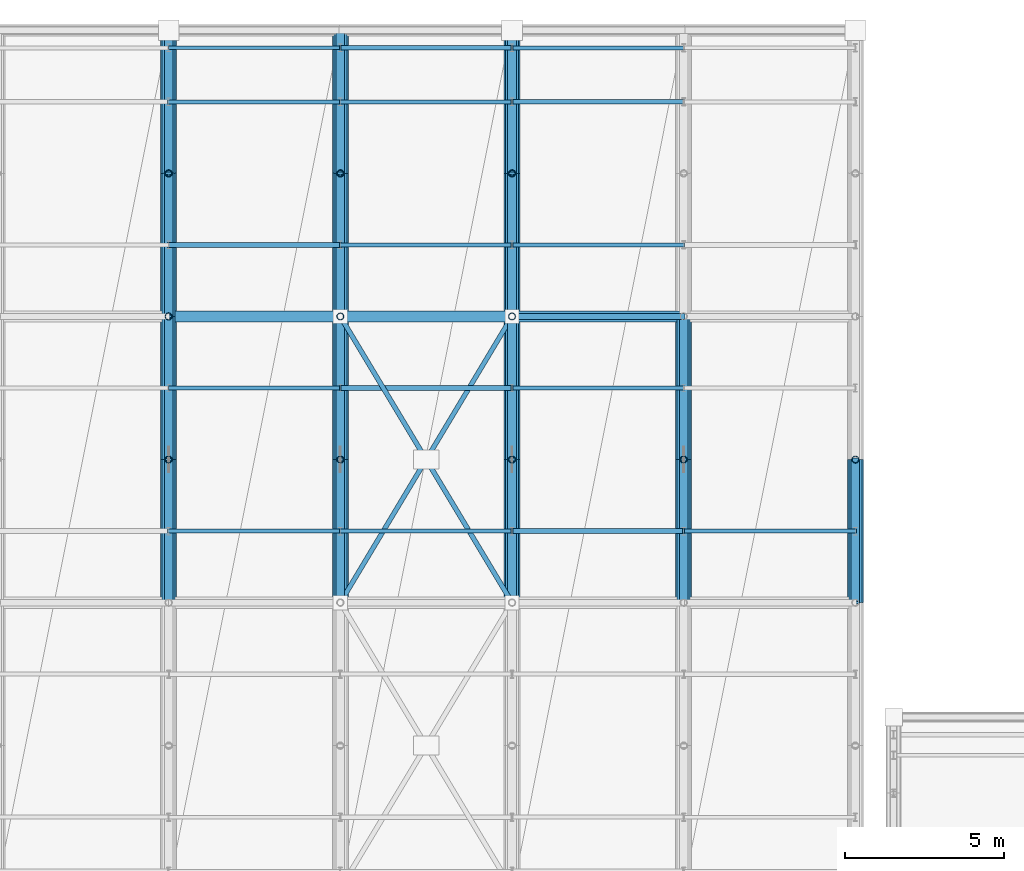
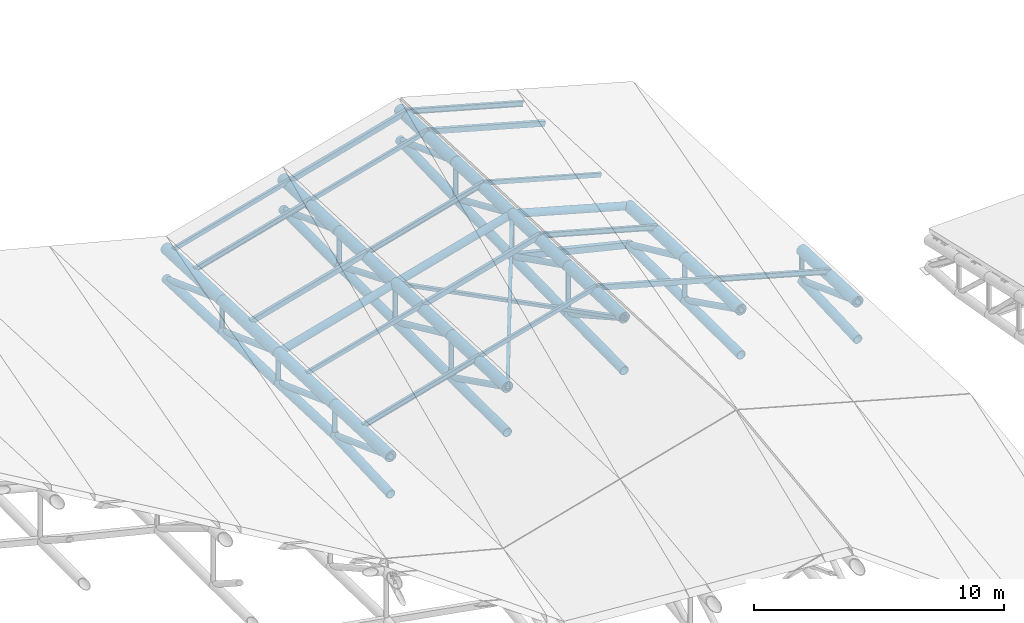
# One storey, part 51 of 109: 49 members, 30 beams.
"""IFC4 building model written with IfcOpenShell, lengths in metres."""

from ifc_helpers import new_model, si_unit, direction, frame, origin, origin_2d, place, context, subcontext, project, spatial, hollow_rectangle, hollow_circle, i_section, extrude, material, material_profile, profile_set, type_object, element, save


model = new_model("IFC4")

# Units and contexts
model_context = context("Model", 3, precision=1e-05, world=origin(), true_north=direction((0.0, 1.0)))
body_context = subcontext(model_context, "Body", "Model", "MODEL_VIEW")
ifc_project = project(units=[si_unit("LENGTHUNIT", "METRE"), si_unit("AREAUNIT", "SQUARE_METRE"), si_unit("VOLUMEUNIT", "CUBIC_METRE"), si_unit("PLANEANGLEUNIT", "RADIAN"), si_unit("MASSUNIT", "GRAM", prefix="KILO")], contexts=[model_context])

# Site, building, storey
site_placement = place(None, origin())
site = spatial("IfcSite", under=ifc_project, at=site_placement, CompositionType="ELEMENT")
building_placement = place(site_placement, origin())
building = spatial("IfcBuilding", under=site, at=building_placement, Name="Suirenkawa Promenade Aquatics Centre", CompositionType="ELEMENT")
storey_placement = place(building_placement, frame((0.0, 0.0, 22.800048828125)))
storey = spatial("IfcBuildingStorey", under=building, at=storey_placement, Name="ROOF", CompositionType="ELEMENT", Elevation=22.800048828125)

# Beams
ifc_material = material(Name="Steel IS 2062 E350 (Grade 350)", Category="steel")
ifc_material_profile_1 = material_profile(ifc_material, hollow_circle(Radius=0.202880859375, WallThickness=0.01806640625, at=origin_2d()), Name="CHS 406x18", Category="steel")
ifc_profile_set_1 = profile_set([ifc_material_profile_1], Name="Steel IS 2062 E350 (Grade 350)")
beam_type_1 = type_object("IfcBeamType", Name="BT-BC-CHS406", PredefinedType="BEAM", material=ifc_profile_set_1)
for number, where, z_axis, x_axis, name in (
    (1, (133.199951171875, 104.39990234375, -11.4111328125), (0.0, 0.999190707649, 0.040223497454), (-1.0, 0.0, 0.0), "ROOF TRUSS V1 bottom chord BC-01 BM-2276"),
    (2, (133.199951171875, 108.89990234375, -11.22998046875), (0.0, 0.999173184279, -0.040656460949), (-1.0, 0.0, 0.0), "ROOF TRUSS V1 bottom chord BC-01 BM-2278"),
    (3, (133.199951171875, 113.39990234375, -11.4130859375), (0.0, 0.999164352475, -0.040872934124), (-1.0, 0.0, 0.0), "ROOF TRUSS V1 bottom chord BC-01 BM-2280"),
    (4, (133.199951171875, 117.89990234375, -11.59716796875), (0.0, 0.999175384927, -0.040602341759), (-1.0, 0.0, 0.0), "ROOF TRUSS V1 bottom chord BC-01 BM-2282"),
):
    element("IfcBeam", number, at=place(storey_placement, frame(where, z_axis=z_axis, x_axis=x_axis)), inside=storey, type_object=beam_type_1, Name=name, PredefinedType="BEAM", context=body_context, shape_type="SweptSolid", body=[
        extrude(hollow_circle(Radius=0.202880859375, WallThickness=0.01806640625, at=origin_2d()), origin(), (0.0, 0.0, 1.0), 4.503662109375),
    ])
for number, where, z_axis, x_axis, name in (
    (5, (138.60009765625, 104.39990234375, -10.281982421875), (0.0, 0.999983150708, -0.005805023716), (-1.0, 0.0, 0.0), "ROOF TRUSS V1 bottom chord BC-01 BM-2304"),
    (6, (138.60009765625, 108.89990234375, -10.30810546875), (0.0, 0.999999788072, -0.000651041529), (-1.0, 0.0, 0.0), "ROOF TRUSS V1 bottom chord BC-01 BM-2306"),
    (7, (138.60009765625, 113.39990234375, -10.31103515625), (0.0, 0.999997019781, 0.002441398974), (-1.0, 0.0, 0.0), "ROOF TRUSS V1 bottom chord BC-01 BM-2308"),
    (8, (138.60009765625, 117.89990234375, -10.300048828125), (0.0, 0.999990104304, 0.004448740698), (-1.0, 0.0, 0.0), "ROOF TRUSS V1 bottom chord BC-01 BM-2310"),
):
    element("IfcBeam", number, at=place(storey_placement, frame(where, z_axis=z_axis, x_axis=x_axis)), inside=storey, type_object=beam_type_1, Name=name, PredefinedType="BEAM", context=body_context, shape_type="SweptSolid", body=[
        extrude(hollow_circle(Radius=0.202880859375, WallThickness=0.01806640625, at=origin_2d()), origin(), (0.0, 0.0, 1.0), 4.5),
    ])
beam_1_placement = place(storey_placement, frame((144.0, 104.39990234375, -9.154052734375), z_axis=(0.0, 0.99992550252, 0.012206121857), x_axis=(-1.0, 0.0, 0.0)))
element("IfcBeam", 9, at=beam_1_placement, inside=storey, type_object=beam_type_1, Name="ROOF TRUSS V1 bottom chord BC-01 BM-2332", PredefinedType="BEAM", context=body_context, shape_type="SweptSolid", body=[
    extrude(hollow_circle(Radius=0.202880859375, WallThickness=0.01806640625, at=origin_2d()), origin(), (0.0, 0.0, 1.0), 4.500244140625),
])
beam_2_placement = place(storey_placement, frame((144.0, 108.89990234375, -9.09912109375), z_axis=(0.0, 0.999812483562, 0.019364857673), x_axis=(-1.0, 0.0, 0.0)))
element("IfcBeam", 10, at=beam_2_placement, inside=storey, type_object=beam_type_1, Name="ROOF TRUSS V1 bottom chord BC-01 BM-2334", PredefinedType="BEAM", context=body_context, shape_type="SweptSolid", body=[
    extrude(hollow_circle(Radius=0.202880859375, WallThickness=0.01806640625, at=origin_2d()), origin(), (0.0, 0.0, 1.0), 4.500732421875),
])
beam_3_placement = place(storey_placement, frame((144.0, 113.39990234375, -9.011962890625), z_axis=(0.0, 0.999702109937, 0.024406789793), x_axis=(-1.0, 0.0, 0.0)))
element("IfcBeam", 11, at=beam_3_placement, inside=storey, type_object=beam_type_1, Name="ROOF TRUSS V1 bottom chord BC-01 BM-2336", PredefinedType="BEAM", context=body_context, shape_type="SweptSolid", body=[
    extrude(hollow_circle(Radius=0.202880859375, WallThickness=0.01806640625, at=origin_2d()), origin(), (0.0, 0.0, 1.0), 4.501220703125),
])
beam_4_placement = place(storey_placement, frame((144.0, 117.89990234375, -8.902099609375), z_axis=(0.0, 0.999632273028, 0.027116760879), x_axis=(-1.0, 0.0, 0.0)))
element("IfcBeam", 12, at=beam_4_placement, inside=storey, type_object=beam_type_1, Name="ROOF TRUSS V1 bottom chord BC-01 BM-2338", PredefinedType="BEAM", context=body_context, shape_type="SweptSolid", body=[
    extrude(hollow_circle(Radius=0.202880859375, WallThickness=0.01806640625, at=origin_2d()), origin(), (0.0, 0.0, 1.0), 4.501708984375),
])
for number, where, z_axis, x_axis, name in (
    (13, (149.39990234375, 104.39990234375, -10.281982421875), (0.0, 0.999983150708, -0.005805023716), (-1.0, 0.0, 0.0), "ROOF TRUSS V1 bottom chord BC-01 BM-2360"),
    (14, (149.39990234375, 108.89990234375, -10.30810546875), (0.0, 0.999999788072, -0.000651041529), (-1.0, 0.0, 0.0), "ROOF TRUSS V1 bottom chord BC-01 BM-2362"),
):
    element("IfcBeam", number, at=place(storey_placement, frame(where, z_axis=z_axis, x_axis=x_axis)), inside=storey, type_object=beam_type_1, Name=name, PredefinedType="BEAM", context=body_context, shape_type="SweptSolid", body=[
        extrude(hollow_circle(Radius=0.202880859375, WallThickness=0.01806640625, at=origin_2d()), origin(), (0.0, 0.0, 1.0), 4.5),
    ])
beam_5_placement = place(storey_placement, frame((154.800048828125, 104.39990234375, -11.4111328125), z_axis=(0.0, 0.999190707649, 0.040223497454), x_axis=(-1.0, 0.0, 0.0)))
element("IfcBeam", 15, at=beam_5_placement, inside=storey, type_object=beam_type_1, Name="ROOF TRUSS V1 bottom chord BC-01 BM-2388", PredefinedType="BEAM", context=body_context, shape_type="SweptSolid", body=[
    extrude(hollow_circle(Radius=0.202880859375, WallThickness=0.01806640625, at=origin_2d()), origin(), (0.0, 0.0, 1.0), 4.503662109375),
])
ifc_material_profile_2 = material_profile(ifc_material, hollow_circle(Radius=0.25390625, WallThickness=0.02392578125, at=origin_2d()), Name="CHS 508x24", Category="steel")
ifc_profile_set_2 = profile_set([ifc_material_profile_2], Name="Steel IS 2062 E350 (Grade 350)")
beam_type_2 = type_object("IfcBeamType", Name="BT-TC-CHS508", PredefinedType="BEAM", material=ifc_profile_set_2)
for number, where, z_axis, x_axis, name in (
    (16, (133.199951171875, 104.39990234375, -9.567138671875), (0.0, 0.999175384927, -0.040602341759), (-1.0, 0.0, 0.0), "ROOF TRUSS V1 top chord TC-02 BM-2275"),
    (17, (133.199951171875, 108.89990234375, -9.75), (0.0, 0.999173184279, -0.040656460949), (-1.0, 0.0, 0.0), "ROOF TRUSS V1 top chord TC-02 BM-2277"),
    (18, (133.199951171875, 113.39990234375, -9.93310546875), (0.0, 0.999166564808, -0.040818816368), (-1.0, 0.0, 0.0), "ROOF TRUSS V1 top chord TC-02 BM-2279"),
    (19, (133.199951171875, 117.89990234375, -10.116943359375), (0.0, 0.999173184279, -0.040656460949), (-1.0, 0.0, 0.0), "ROOF TRUSS V1 top chord TC-02 BM-2281"),
    (20, (138.60009765625, 104.39990234375, -8.067138671875), (0.0, 0.999175384927, -0.040602341759), (-1.0, 0.0, 0.0), "ROOF TRUSS V1 top chord TC-02 BM-2303"),
    (21, (138.60009765625, 108.89990234375, -8.25), (0.0, 0.999173184279, -0.040656460949), (-1.0, 0.0, 0.0), "ROOF TRUSS V1 top chord TC-02 BM-2305"),
    (22, (138.60009765625, 113.39990234375, -8.43310546875), (0.0, 0.999166564808, -0.040818816368), (-1.0, 0.0, 0.0), "ROOF TRUSS V1 top chord TC-02 BM-2307"),
    (23, (138.60009765625, 117.89990234375, -8.616943359375), (0.0, 0.999173184279, -0.040656460949), (-1.0, 0.0, 0.0), "ROOF TRUSS V1 top chord TC-02 BM-2309"),
    (24, (144.0, 104.39990234375, -6.567138671875), (0.0, 0.999175384927, -0.040602341759), (-1.0, 0.0, 0.0), "ROOF TRUSS V1 top chord TC-02 BM-2331"),
    (25, (144.0, 108.89990234375, -6.75), (0.0, 0.999173184279, -0.040656460949), (-1.0, 0.0, 0.0), "ROOF TRUSS V1 top chord TC-02 BM-2333"),
    (26, (144.0, 113.39990234375, -6.93310546875), (0.0, 0.999166564808, -0.040818816368), (-1.0, 0.0, 0.0), "ROOF TRUSS V1 top chord TC-02 BM-2335"),
    (27, (144.0, 117.89990234375, -7.116943359375), (0.0, 0.999173184279, -0.040656460949), (-1.0, 0.0, 0.0), "ROOF TRUSS V1 top chord TC-02 BM-2337"),
    (28, (149.39990234375, 104.39990234375, -8.067138671875), (0.0, 0.999175384927, -0.040602341759), (-1.0, 0.0, 0.0), "ROOF TRUSS V1 top chord TC-02 BM-2359"),
    (29, (149.39990234375, 108.89990234375, -8.25), (0.0, 0.999173184279, -0.040656460949), (-1.0, 0.0, 0.0), "ROOF TRUSS V1 top chord TC-02 BM-2361"),
    (30, (154.800048828125, 104.39990234375, -9.567138671875), (0.0, 0.999175384927, -0.040602341759), (-1.0, 0.0, 0.0), "ROOF TRUSS V1 top chord TC-02 BM-2387"),
):
    element("IfcBeam", number, at=place(storey_placement, frame(where, z_axis=z_axis, x_axis=x_axis)), inside=storey, type_object=beam_type_2, Name=name, PredefinedType="BEAM", context=body_context, shape_type="SweptSolid", body=[
        extrude(hollow_circle(Radius=0.25390625, WallThickness=0.02392578125, at=origin_2d()), origin(), (0.0, 0.0, 1.0), 4.503662109375),
    ])

# Members
ifc_material_profile_3 = material_profile(ifc_material, hollow_rectangle(XDim=0.14990234375, YDim=0.14990234375, WallThickness=0.008056640625, at=origin_2d()), Name="SHS 150x150x8", Category="steel")
ifc_profile_set_3 = profile_set([ifc_material_profile_3], Name="Steel IS 2062 E350 (Grade 350)")
member_type_1 = type_object("IfcMemberType", Name="MT-BRACE-SHS150", PredefinedType="BRACE", material=ifc_profile_set_3)
member_1_placement = place(storey_placement, frame((138.60009765625, 104.39990234375, -8.067138671875), z_axis=(0.511511800204, 0.85253508467, 0.107422565872), x_axis=(-0.857497030584, 0.514488913912, 0.0)))
element("IfcMember", 31, at=member_1_placement, inside=storey, type_object=member_type_1, Name="ROOF TRUSS V1 continuous plan brace BF-02 MB-0968", PredefinedType="BRACE", context=body_context, shape_type="SweptSolid", body=[
    extrude(hollow_rectangle(XDim=0.14990234375, YDim=0.14990234375, WallThickness=0.008056640625, at=origin_2d()), origin(), (0.0, 0.0, 1.0), 10.556640625),
])
for number, where, z_axis, x_axis, name in (
    (32, (144.0, 104.39990234375, -6.567138671875), (-0.506581790783, 0.84424092065, -0.175020447794), (-0.857476239003, -0.514523565588, 0.0), "ROOF TRUSS V1 split plan brace A BF-02 MB-0969"),
    (33, (141.257080078125, 108.971923828125, -7.51513671875), (-0.506581790783, 0.84424092065, -0.175020447794), (-0.857476239003, -0.514523565588, 0.0), "ROOF TRUSS V1 split plan brace B BF-02 MB-0970"),
):
    element("IfcMember", number, at=place(storey_placement, frame(where, z_axis=z_axis, x_axis=x_axis)), inside=storey, type_object=member_type_1, Name=name, PredefinedType="BRACE", context=body_context, shape_type="SweptSolid", body=[
        extrude(hollow_rectangle(XDim=0.14990234375, YDim=0.14990234375, WallThickness=0.008056640625, at=origin_2d()), origin(), (0.0, 0.0, 1.0), 5.244873046875),
    ])
ifc_material_profile_4 = material_profile(ifc_material, hollow_circle(Radius=0.177978515625, WallThickness=0.01611328125, at=origin_2d()), Name="CHS 356x16", Category="steel")
ifc_profile_set_4 = profile_set([ifc_material_profile_4], Name="Steel IS 2062 E350 (Grade 350)")
member_type_2 = type_object("IfcMemberType", Name="MT-CHORD-CHS356", PredefinedType="CHORD", material=ifc_profile_set_4)
member_2_placement = place(storey_placement, frame((133.199951171875, 113.39990234375, -9.93310546875), z_axis=(0.963519781844, 0.0, 0.267637123724), x_axis=(0.0, 1.0, 0.0)))
element("IfcMember", 34, at=member_2_placement, inside=storey, type_object=member_type_2, Name="ROOF TRUSS V1 tie chord CH-02 MB-0920", PredefinedType="CHORD", context=body_context, shape_type="SweptSolid", body=[
    extrude(hollow_circle(Radius=0.177978515625, WallThickness=0.01611328125, at=origin_2d()), origin(), (0.0, 0.0, 1.0), 5.6044921875),
])
for number, where, z_axis, x_axis, name in (
    (35, (138.60009765625, 113.39990234375, -8.43310546875), (0.963516661409, 0.0, 0.267648357342), (0.0, 1.0, 0.0), "ROOF TRUSS V1 tie chord CH-02 MB-0921"),
    (36, (144.0, 113.39990234375, -6.93310546875), (0.963516661409, 0.0, -0.267648357342), (0.0, 1.0, 0.0), "ROOF TRUSS V1 tie chord CH-02 MB-0922"),
):
    element("IfcMember", number, at=place(storey_placement, frame(where, z_axis=z_axis, x_axis=x_axis)), inside=storey, type_object=member_type_2, Name=name, PredefinedType="CHORD", context=body_context, shape_type="SweptSolid", body=[
        extrude(hollow_circle(Radius=0.177978515625, WallThickness=0.01611328125, at=origin_2d()), origin(), (0.0, 0.0, 1.0), 5.604248046875),
    ])
ifc_material_profile_5 = material_profile(ifc_material, hollow_rectangle(XDim=0.199951171875, YDim=0.300048828125, WallThickness=0.011962890625, at=origin_2d()), Name="RHS 300x200x12", Category="steel")
ifc_profile_set_5 = profile_set([ifc_material_profile_5], Name="Steel IS 2062 E350 (Grade 350)")
member_type_3 = type_object("IfcMemberType", Name="MT-CHORD-RHS300", PredefinedType="CHORD", material=ifc_profile_set_5)
member_3_placement = place(storey_placement, frame((144.0, 113.39990234375, -9.011962890625), z_axis=(0.972260672149, 0.0, -0.233899947396), x_axis=(0.0, 1.0, 0.0)))
element("IfcMember", 37, at=member_3_placement, inside=storey, type_object=member_type_3, Name="ROOF TRUSS V1 bottom tie CH-03 MB-0923", PredefinedType="CHORD", context=body_context, shape_type="SweptSolid", body=[
    extrude(hollow_rectangle(XDim=0.199951171875, YDim=0.300048828125, WallThickness=0.011962890625, at=origin_2d()), origin(), (0.0, 0.0, 1.0), 5.553955078125),
])
ifc_material_profile_6 = material_profile(ifc_material, i_section(OverallWidth=0.125, OverallDepth=0.25, WebThickness=0.007080078125, FlangeThickness=0.012939453125, at=origin_2d()), Name="ISMB 250", Category="steel")
ifc_profile_set_6 = profile_set([ifc_material_profile_6], Name="Steel IS 2062 E350 (Grade 350)")
member_type_4 = type_object("IfcMemberType", Name="MT-PURLIN-ISMB250", PredefinedType="PURLIN", material=ifc_profile_set_6)
for number, where, z_axis, x_axis, name in (
    (38, (133.199951171875, 106.64990234375, -9.429931640625), (0.963519781844, 0.0, 0.267637123724), (0.0, 1.0, 0.0), "ROOF TRUSS Roof purlin PU-04 MB-2289"),
    (39, (133.199951171875, 120.14990234375, -9.97998046875), (0.963519781844, 0.0, 0.267637123724), (0.0, 1.0, 0.0), "ROOF TRUSS Roof purlin PU-04 MB-2295"),
):
    element("IfcMember", number, at=place(storey_placement, frame(where, z_axis=z_axis, x_axis=x_axis)), inside=storey, type_object=member_type_4, Name=name, PredefinedType="PURLIN", context=body_context, shape_type="SweptSolid", body=[
        extrude(i_section(OverallWidth=0.125, OverallDepth=0.25, WebThickness=0.007080078125, FlangeThickness=0.012939453125, at=origin_2d()), origin(), (0.0, 0.0, 1.0), 5.6044921875),
    ])
for number, where, z_axis, x_axis, name in (
    (40, (138.60009765625, 115.64990234375, -8.297119140625), (0.963516661409, 0.0, 0.267648357342), (0.0, 1.0, 0.0), "ROOF TRUSS Roof purlin PU-04 MB-2329"),
    (41, (144.0, 111.14990234375, -6.613037109375), (0.963516661409, 0.0, -0.267648357342), (0.0, 1.0, 0.0), "ROOF TRUSS Roof purlin PU-04 MB-2363"),
    (42, (144.0, 121.85009765625, -7.049072265625), (0.963516661409, 0.0, -0.267648357342), (0.0, 1.0, 0.0), "ROOF TRUSS Roof purlin PU-04 MB-2369"),
):
    element("IfcMember", number, at=place(storey_placement, frame(where, z_axis=z_axis, x_axis=x_axis)), inside=storey, type_object=member_type_4, Name=name, PredefinedType="PURLIN", context=body_context, shape_type="SweptSolid", body=[
        extrude(i_section(OverallWidth=0.125, OverallDepth=0.25, WebThickness=0.007080078125, FlangeThickness=0.012939453125, at=origin_2d()), origin(), (0.0, 0.0, 1.0), 5.604248046875),
    ])
member_4_placement = place(storey_placement, frame((149.39990234375, 106.64990234375, -7.929931640625), z_axis=(0.963519781844, 0.0, -0.267637123724), x_axis=(0.0, 1.0, 0.0)))
element("IfcMember", 43, at=member_4_placement, inside=storey, type_object=member_type_4, Name="ROOF TRUSS Roof purlin PU-04 MB-2397", PredefinedType="PURLIN", context=body_context, shape_type="SweptSolid", body=[
    extrude(i_section(OverallWidth=0.125, OverallDepth=0.25, WebThickness=0.007080078125, FlangeThickness=0.012939453125, at=origin_2d()), origin(), (0.0, 0.0, 1.0), 5.6044921875),
])
ifc_material_profile_7 = material_profile(ifc_material, hollow_rectangle(XDim=0.1201171875, YDim=0.199951171875, WallThickness=0.008056640625, at=origin_2d()), Name="RHS 200x120x8", Category="steel")
ifc_profile_set_7 = profile_set([ifc_material_profile_7], Name="Steel IS 2062 E350 (Grade 350)")
member_type_5 = type_object("IfcMemberType", Name="MT-PURLIN-RHS200", PredefinedType="PURLIN", material=ifc_profile_set_7)
for number, where, z_axis, x_axis, name in (
    (44, (133.199951171875, 111.14990234375, -9.588134765625), (0.963519781844, 0.0, 0.267637123724), (0.0, 1.0, 0.0), "ROOF TRUSS Roof purlin PU-02 MB-2291"),
    (45, (133.199951171875, 121.85009765625, -10.024169921875), (0.963519781844, 0.0, 0.267637123724), (0.0, 1.0, 0.0), "ROOF TRUSS Roof purlin PU-02 MB-2297"),
):
    element("IfcMember", number, at=place(storey_placement, frame(where, z_axis=z_axis, x_axis=x_axis)), inside=storey, type_object=member_type_5, Name=name, PredefinedType="PURLIN", context=body_context, shape_type="SweptSolid", body=[
        extrude(hollow_rectangle(XDim=0.1201171875, YDim=0.199951171875, WallThickness=0.008056640625, at=origin_2d()), origin(), (0.0, 0.0, 1.0), 5.6044921875),
    ])
for number, where, z_axis, x_axis, name in (
    (46, (138.60009765625, 106.64990234375, -7.905029296875), (0.963516661409, 0.0, 0.267648357342), (0.0, 1.0, 0.0), "ROOF TRUSS Roof purlin PU-02 MB-2325"),
    (47, (138.60009765625, 120.14990234375, -8.455078125), (0.963516661409, 0.0, 0.267648357342), (0.0, 1.0, 0.0), "ROOF TRUSS Roof purlin PU-02 MB-2331"),
    (48, (144.0, 115.64990234375, -6.77197265625), (0.963516661409, 0.0, -0.267648357342), (0.0, 1.0, 0.0), "ROOF TRUSS Roof purlin PU-02 MB-2365"),
):
    element("IfcMember", number, at=place(storey_placement, frame(where, z_axis=z_axis, x_axis=x_axis)), inside=storey, type_object=member_type_5, Name=name, PredefinedType="PURLIN", context=body_context, shape_type="SweptSolid", body=[
        extrude(hollow_rectangle(XDim=0.1201171875, YDim=0.199951171875, WallThickness=0.008056640625, at=origin_2d()), origin(), (0.0, 0.0, 1.0), 5.604248046875),
    ])
ifc_material_profile_8 = material_profile(ifc_material, hollow_rectangle(XDim=0.14990234375, YDim=0.25, WallThickness=0.010009765625, at=origin_2d()), Name="RHS 250x150x10", Category="steel")
ifc_profile_set_8 = profile_set([ifc_material_profile_8], Name="Steel IS 2062 E350 (Grade 350)")
member_type_6 = type_object("IfcMemberType", Name="MT-PURLIN-RHS250", PredefinedType="PURLIN", material=ifc_profile_set_8)
member_5_placement = place(storey_placement, frame((133.199951171875, 115.64990234375, -9.797119140625), z_axis=(0.963519781844, 0.0, 0.267637123724), x_axis=(0.0, 1.0, 0.0)))
element("IfcMember", 49, at=member_5_placement, inside=storey, type_object=member_type_6, Name="ROOF TRUSS Roof purlin PU-03 MB-2293", PredefinedType="PURLIN", context=body_context, shape_type="SweptSolid", body=[
    extrude(hollow_rectangle(XDim=0.14990234375, YDim=0.25, WallThickness=0.010009765625, at=origin_2d()), origin(), (0.0, 0.0, 1.0), 5.6044921875),
])
for number, where, z_axis, x_axis, name in (
    (50, (138.60009765625, 111.14990234375, -8.114013671875), (0.963516661409, 0.0, 0.267648357342), (0.0, 1.0, 0.0), "ROOF TRUSS Roof purlin PU-03 MB-2327"),
    (51, (138.60009765625, 121.85009765625, -8.550048828125), (0.963516661409, 0.0, 0.267648357342), (0.0, 1.0, 0.0), "ROOF TRUSS Roof purlin PU-03 MB-2333"),
    (52, (144.0, 106.64990234375, -6.43115234375), (0.963516661409, 0.0, -0.267648357342), (0.0, 1.0, 0.0), "ROOF TRUSS Roof purlin PU-03 MB-2361"),
    (53, (144.0, 120.14990234375, -6.98095703125), (0.963516661409, 0.0, -0.267648357342), (0.0, 1.0, 0.0), "ROOF TRUSS Roof purlin PU-03 MB-2367"),
):
    element("IfcMember", number, at=place(storey_placement, frame(where, z_axis=z_axis, x_axis=x_axis)), inside=storey, type_object=member_type_6, Name=name, PredefinedType="PURLIN", context=body_context, shape_type="SweptSolid", body=[
        extrude(hollow_rectangle(XDim=0.14990234375, YDim=0.25, WallThickness=0.010009765625, at=origin_2d()), origin(), (0.0, 0.0, 1.0), 5.604248046875),
    ])
ifc_material_profile_9 = material_profile(ifc_material, hollow_circle(Radius=0.110107421875, WallThickness=0.010009765625, at=origin_2d()), Name="CHS 220x10", Category="steel")
ifc_profile_set_9 = profile_set([ifc_material_profile_9], Name="Steel IS 2062 E350 (Grade 350)")
member_type_7 = type_object("IfcMemberType", Name="MT-WEB-CHS220", PredefinedType="BRACE", material=ifc_profile_set_9)
for number, where, z_axis, x_axis, name in (
    (54, (133.199951171875, 108.89990234375, -11.22998046875), (0.0, 0.0, 1.0), (1.0, 0.0, 0.0), "ROOF TRUSS V1 web post TD-01 MB-0457"),
    (55, (133.199951171875, 113.39990234375, -11.4130859375), (0.0, 0.0, 1.0), (1.0, 0.0, 0.0), "ROOF TRUSS V1 web post TD-01 MB-0458"),
):
    element("IfcMember", number, at=place(storey_placement, frame(where, z_axis=z_axis, x_axis=x_axis)), inside=storey, type_object=member_type_7, Name=name, PredefinedType="BRACE", context=body_context, shape_type="SweptSolid", body=[
        extrude(hollow_circle(Radius=0.110107421875, WallThickness=0.010009765625, at=origin_2d()), origin(), (0.0, 0.0, 1.0), 1.47998046875),
    ])
member_6_placement = place(storey_placement, frame((133.199951171875, 117.89990234375, -11.59716796875), z_axis=(0.0, 0.0, 1.0), x_axis=(1.0, 0.0, 0.0)))
element("IfcMember", 56, at=member_6_placement, inside=storey, type_object=member_type_7, Name="ROOF TRUSS V1 web post TD-01 MB-0459", PredefinedType="BRACE", context=body_context, shape_type="SweptSolid", body=[
    extrude(hollow_circle(Radius=0.110107421875, WallThickness=0.010009765625, at=origin_2d()), origin(), (0.0, 0.0, 1.0), 1.480224609375),
])
member_7_placement = place(storey_placement, frame((138.60009765625, 108.89990234375, -10.30810546875), z_axis=(0.0, 0.0, 1.0), x_axis=(1.0, 0.0, 0.0)))
element("IfcMember", 57, at=member_7_placement, inside=storey, type_object=member_type_7, Name="ROOF TRUSS V1 web post TD-01 MB-0484", PredefinedType="BRACE", context=body_context, shape_type="SweptSolid", body=[
    extrude(hollow_circle(Radius=0.110107421875, WallThickness=0.010009765625, at=origin_2d()), origin(), (0.0, 0.0, 1.0), 2.05810546875),
])
member_8_placement = place(storey_placement, frame((138.60009765625, 113.39990234375, -10.31103515625), z_axis=(0.0, 0.0, 1.0), x_axis=(1.0, 0.0, 0.0)))
element("IfcMember", 58, at=member_8_placement, inside=storey, type_object=member_type_7, Name="ROOF TRUSS V1 web post TD-01 MB-0485", PredefinedType="BRACE", context=body_context, shape_type="SweptSolid", body=[
    extrude(hollow_circle(Radius=0.110107421875, WallThickness=0.010009765625, at=origin_2d()), origin(), (0.0, 0.0, 1.0), 1.8779296875),
])
member_9_placement = place(storey_placement, frame((138.60009765625, 117.89990234375, -10.300048828125), z_axis=(0.0, 0.0, 1.0), x_axis=(1.0, 0.0, 0.0)))
element("IfcMember", 59, at=member_9_placement, inside=storey, type_object=member_type_7, Name="ROOF TRUSS V1 web post TD-01 MB-0486", PredefinedType="BRACE", context=body_context, shape_type="SweptSolid", body=[
    extrude(hollow_circle(Radius=0.110107421875, WallThickness=0.010009765625, at=origin_2d()), origin(), (0.0, 0.0, 1.0), 1.68310546875),
])
member_10_placement = place(storey_placement, frame((144.0, 108.89990234375, -9.09912109375), z_axis=(0.0, 0.0, 1.0), x_axis=(1.0, 0.0, 0.0)))
element("IfcMember", 60, at=member_10_placement, inside=storey, type_object=member_type_7, Name="ROOF TRUSS V1 web post TD-01 MB-0511", PredefinedType="BRACE", context=body_context, shape_type="SweptSolid", body=[
    extrude(hollow_circle(Radius=0.110107421875, WallThickness=0.010009765625, at=origin_2d()), origin(), (0.0, 0.0, 1.0), 2.34912109375),
])
member_11_placement = place(storey_placement, frame((144.0, 113.39990234375, -9.011962890625), z_axis=(0.0, 0.0, 1.0), x_axis=(1.0, 0.0, 0.0)))
element("IfcMember", 61, at=member_11_placement, inside=storey, type_object=member_type_7, Name="ROOF TRUSS V1 web post TD-01 MB-0512", PredefinedType="BRACE", context=body_context, shape_type="SweptSolid", body=[
    extrude(hollow_circle(Radius=0.110107421875, WallThickness=0.010009765625, at=origin_2d()), origin(), (0.0, 0.0, 1.0), 2.078857421875),
])
member_12_placement = place(storey_placement, frame((144.0, 117.89990234375, -8.902099609375), z_axis=(0.0, 0.0, 1.0), x_axis=(1.0, 0.0, 0.0)))
element("IfcMember", 62, at=member_12_placement, inside=storey, type_object=member_type_7, Name="ROOF TRUSS V1 web post TD-01 MB-0513", PredefinedType="BRACE", context=body_context, shape_type="SweptSolid", body=[
    extrude(hollow_circle(Radius=0.110107421875, WallThickness=0.010009765625, at=origin_2d()), origin(), (0.0, 0.0, 1.0), 1.78515625),
])
member_13_placement = place(storey_placement, frame((149.39990234375, 108.89990234375, -10.30810546875), z_axis=(0.0, 0.0, 1.0), x_axis=(1.0, 0.0, 0.0)))
element("IfcMember", 63, at=member_13_placement, inside=storey, type_object=member_type_7, Name="ROOF TRUSS V1 web post TD-01 MB-0538", PredefinedType="BRACE", context=body_context, shape_type="SweptSolid", body=[
    extrude(hollow_circle(Radius=0.110107421875, WallThickness=0.010009765625, at=origin_2d()), origin(), (0.0, 0.0, 1.0), 2.05810546875),
])
member_14_placement = place(storey_placement, frame((154.800048828125, 108.89990234375, -11.22998046875), z_axis=(0.0, 0.0, 1.0), x_axis=(1.0, 0.0, 0.0)))
element("IfcMember", 64, at=member_14_placement, inside=storey, type_object=member_type_7, Name="ROOF TRUSS V1 web post TD-01 MB-0565", PredefinedType="BRACE", context=body_context, shape_type="SweptSolid", body=[
    extrude(hollow_circle(Radius=0.110107421875, WallThickness=0.010009765625, at=origin_2d()), origin(), (0.0, 0.0, 1.0), 1.47998046875),
])
ifc_material_profile_10 = material_profile(ifc_material, hollow_circle(Radius=0.136962890625, WallThickness=0.011962890625, at=origin_2d()), Name="CHS 274x12", Category="steel")
ifc_profile_set_10 = profile_set([ifc_material_profile_10], Name="Steel IS 2062 E350 (Grade 350)")
member_type_8 = type_object("IfcMemberType", Name="MT-WEB-CHS274", PredefinedType="BRACE", material=ifc_profile_set_10)
for number, where, z_axis, x_axis, name in (
    (65, (133.199951171875, 104.39990234375, -9.567138671875), (0.0, 0.938008167567, -0.346613152631), (-1.0, 0.0, 0.0), "ROOF TRUSS V1 web diagonal TD-02 MB-0443"),
    (66, (133.199951171875, 108.89990234375, -9.75), (0.0, 0.937991621065, -0.346657927664), (-1.0, 0.0, 0.0), "ROOF TRUSS V1 web diagonal TD-02 MB-0444"),
):
    element("IfcMember", number, at=place(storey_placement, frame(where, z_axis=z_axis, x_axis=x_axis)), inside=storey, type_object=member_type_8, Name=name, PredefinedType="BRACE", context=body_context, shape_type="SweptSolid", body=[
        extrude(hollow_circle(Radius=0.136962890625, WallThickness=0.011962890625, at=origin_2d()), origin(), (0.0, 0.0, 1.0), 4.79736328125),
    ])
member_15_placement = place(storey_placement, frame((133.199951171875, 113.39990234375, -9.93310546875), z_axis=(0.0, 0.937925419525, -0.346837004095), x_axis=(-1.0, 0.0, 0.0)))
element("IfcMember", 67, at=member_15_placement, inside=storey, type_object=member_type_8, Name="ROOF TRUSS V1 web diagonal TD-02 MB-0445", PredefinedType="BRACE", context=body_context, shape_type="SweptSolid", body=[
    extrude(hollow_circle(Radius=0.136962890625, WallThickness=0.011962890625, at=origin_2d()), origin(), (0.0, 0.0, 1.0), 4.7978515625),
])
member_16_placement = place(storey_placement, frame((133.199951171875, 117.89990234375, -10.116943359375), z_axis=(0.0, 0.937991621065, -0.346657927664), x_axis=(-1.0, 0.0, 0.0)))
element("IfcMember", 68, at=member_16_placement, inside=storey, type_object=member_type_8, Name="ROOF TRUSS V1 web diagonal TD-02 MB-0446", PredefinedType="BRACE", context=body_context, shape_type="SweptSolid", body=[
    extrude(hollow_circle(Radius=0.136962890625, WallThickness=0.011962890625, at=origin_2d()), origin(), (0.0, 0.0, 1.0), 4.79736328125),
])
member_17_placement = place(storey_placement, frame((138.60009765625, 104.39990234375, -8.067138671875), z_axis=(0.0, 0.895144793573, -0.445775502399), x_axis=(-1.0, 0.0, 0.0)))
element("IfcMember", 69, at=member_17_placement, inside=storey, type_object=member_type_8, Name="ROOF TRUSS V1 web diagonal TD-02 MB-0470", PredefinedType="BRACE", context=body_context, shape_type="SweptSolid", body=[
    extrude(hollow_circle(Radius=0.136962890625, WallThickness=0.011962890625, at=origin_2d()), origin(), (0.0, 0.0, 1.0), 5.027099609375),
])
member_18_placement = place(storey_placement, frame((138.60009765625, 108.89990234375, -8.25), z_axis=(0.0, 0.909176888112, -0.4164101177), x_axis=(-1.0, 0.0, 0.0)))
element("IfcMember", 70, at=member_18_placement, inside=storey, type_object=member_type_8, Name="ROOF TRUSS V1 web diagonal TD-02 MB-0471", PredefinedType="BRACE", context=body_context, shape_type="SweptSolid", body=[
    extrude(hollow_circle(Radius=0.136962890625, WallThickness=0.011962890625, at=origin_2d()), origin(), (0.0, 0.0, 1.0), 4.949462890625),
])
member_19_placement = place(storey_placement, frame((138.60009765625, 113.39990234375, -8.43310546875), z_axis=(0.0, 0.923662957717, -0.383205872269), x_axis=(-1.0, 0.0, 0.0)))
element("IfcMember", 71, at=member_19_placement, inside=storey, type_object=member_type_8, Name="ROOF TRUSS V1 web diagonal TD-02 MB-0472", PredefinedType="BRACE", context=body_context, shape_type="SweptSolid", body=[
    extrude(hollow_circle(Radius=0.136962890625, WallThickness=0.011962890625, at=origin_2d()), origin(), (0.0, 0.0, 1.0), 4.871826171875),
])
member_20_placement = place(storey_placement, frame((138.60009765625, 117.89990234375, -8.616943359375), z_axis=(0.0, 0.937991621065, -0.346657927664), x_axis=(-1.0, 0.0, 0.0)))
element("IfcMember", 72, at=member_20_placement, inside=storey, type_object=member_type_8, Name="ROOF TRUSS V1 web diagonal TD-02 MB-0473", PredefinedType="BRACE", context=body_context, shape_type="SweptSolid", body=[
    extrude(hollow_circle(Radius=0.136962890625, WallThickness=0.011962890625, at=origin_2d()), origin(), (0.0, 0.0, 1.0), 4.79736328125),
])
member_21_placement = place(storey_placement, frame((144.0, 104.39990234375, -6.567138671875), z_axis=(0.0, 0.871514918799, -0.490368989956), x_axis=(-1.0, 0.0, 0.0)))
element("IfcMember", 73, at=member_21_placement, inside=storey, type_object=member_type_8, Name="ROOF TRUSS V1 web diagonal TD-02 MB-0497", PredefinedType="BRACE", context=body_context, shape_type="SweptSolid", body=[
    extrude(hollow_circle(Radius=0.136962890625, WallThickness=0.011962890625, at=origin_2d()), origin(), (0.0, 0.0, 1.0), 5.163330078125),
])
member_22_placement = place(storey_placement, frame((144.0, 108.89990234375, -6.75), z_axis=(0.0, 0.893475079694, -0.449112771992), x_axis=(-1.0, 0.0, 0.0)))
element("IfcMember", 74, at=member_22_placement, inside=storey, type_object=member_type_8, Name="ROOF TRUSS V1 web diagonal TD-02 MB-0498", PredefinedType="BRACE", context=body_context, shape_type="SweptSolid", body=[
    extrude(hollow_circle(Radius=0.136962890625, WallThickness=0.011962890625, at=origin_2d()), origin(), (0.0, 0.0, 1.0), 5.03662109375),
])
member_23_placement = place(storey_placement, frame((144.0, 113.39990234375, -6.93310546875), z_axis=(0.0, 0.916139082092, -0.400860552142), x_axis=(-1.0, 0.0, 0.0)))
element("IfcMember", 75, at=member_23_placement, inside=storey, type_object=member_type_8, Name="ROOF TRUSS V1 web diagonal TD-02 MB-0499", PredefinedType="BRACE", context=body_context, shape_type="SweptSolid", body=[
    extrude(hollow_circle(Radius=0.136962890625, WallThickness=0.011962890625, at=origin_2d()), origin(), (0.0, 0.0, 1.0), 4.911865234375),
])
member_24_placement = place(storey_placement, frame((144.0, 117.89990234375, -7.116943359375), z_axis=(0.0, 0.937991621065, -0.346657927664), x_axis=(-1.0, 0.0, 0.0)))
element("IfcMember", 76, at=member_24_placement, inside=storey, type_object=member_type_8, Name="ROOF TRUSS V1 web diagonal TD-02 MB-0500", PredefinedType="BRACE", context=body_context, shape_type="SweptSolid", body=[
    extrude(hollow_circle(Radius=0.136962890625, WallThickness=0.011962890625, at=origin_2d()), origin(), (0.0, 0.0, 1.0), 4.79736328125),
])
member_25_placement = place(storey_placement, frame((149.39990234375, 104.39990234375, -8.067138671875), z_axis=(0.0, 0.895144793573, -0.445775502399), x_axis=(-1.0, 0.0, 0.0)))
element("IfcMember", 77, at=member_25_placement, inside=storey, type_object=member_type_8, Name="ROOF TRUSS V1 web diagonal TD-02 MB-0524", PredefinedType="BRACE", context=body_context, shape_type="SweptSolid", body=[
    extrude(hollow_circle(Radius=0.136962890625, WallThickness=0.011962890625, at=origin_2d()), origin(), (0.0, 0.0, 1.0), 5.027099609375),
])
member_26_placement = place(storey_placement, frame((149.39990234375, 108.89990234375, -8.25), z_axis=(0.0, 0.909176888112, -0.4164101177), x_axis=(-1.0, 0.0, 0.0)))
element("IfcMember", 78, at=member_26_placement, inside=storey, type_object=member_type_8, Name="ROOF TRUSS V1 web diagonal TD-02 MB-0525", PredefinedType="BRACE", context=body_context, shape_type="SweptSolid", body=[
    extrude(hollow_circle(Radius=0.136962890625, WallThickness=0.011962890625, at=origin_2d()), origin(), (0.0, 0.0, 1.0), 4.949462890625),
])
member_27_placement = place(storey_placement, frame((154.800048828125, 104.39990234375, -9.567138671875), z_axis=(0.0, 0.938008167567, -0.346613152631), x_axis=(-1.0, 0.0, 0.0)))
element("IfcMember", 79, at=member_27_placement, inside=storey, type_object=member_type_8, Name="ROOF TRUSS V1 web diagonal TD-02 MB-0551", PredefinedType="BRACE", context=body_context, shape_type="SweptSolid", body=[
    extrude(hollow_circle(Radius=0.136962890625, WallThickness=0.011962890625, at=origin_2d()), origin(), (0.0, 0.0, 1.0), 4.79736328125),
])

save(model, "model.ifc")
